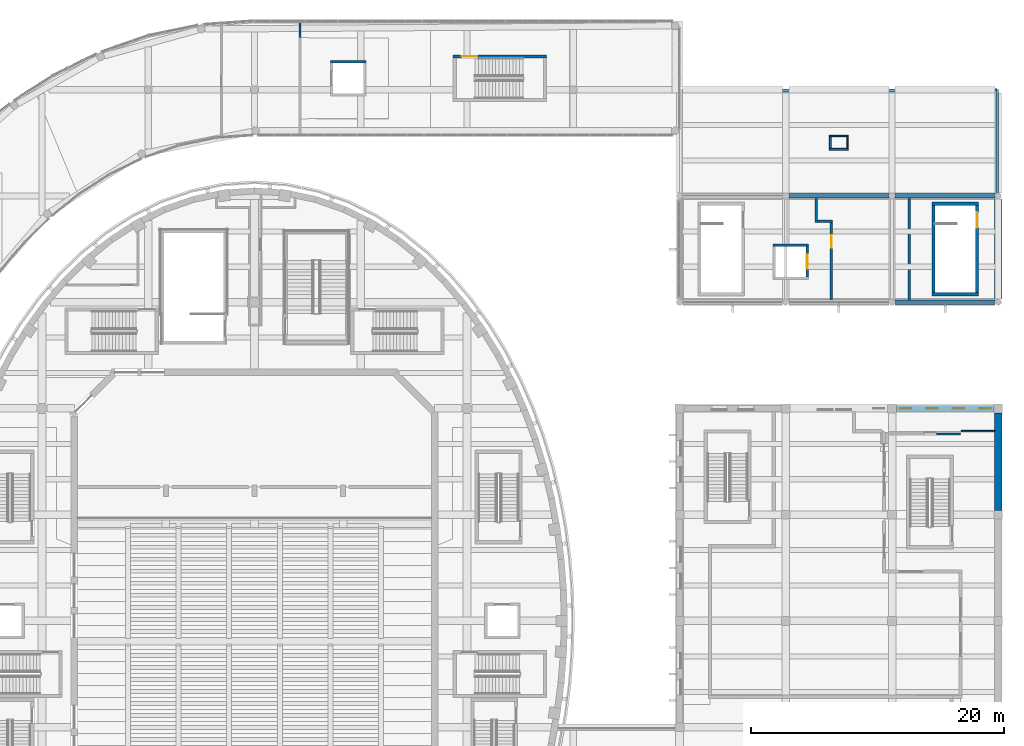
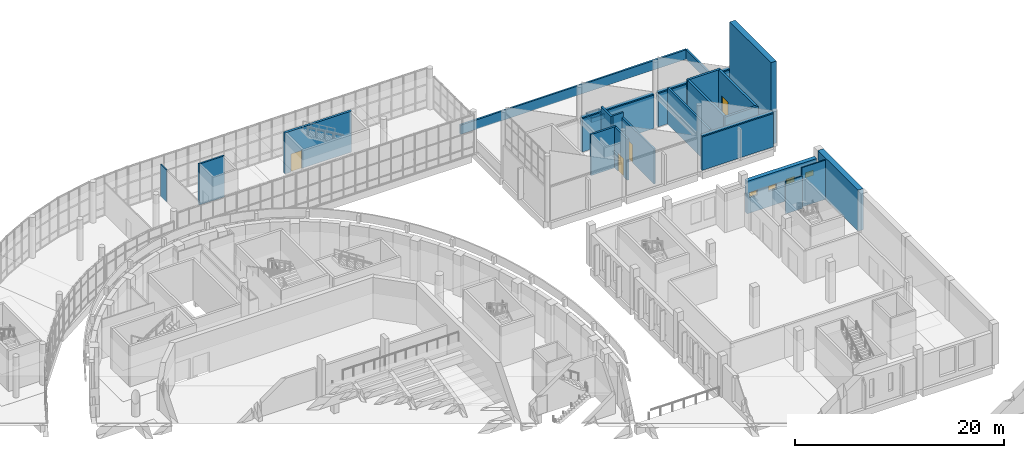
# One storey, part 71 of 119: 30 walls, 4 doors, 4 windows, 8 openings.
"""IFC4 building model written with IfcOpenShell, lengths in metres."""

from ifc_helpers import new_model, si_unit, direction, frame, frame_2d, origin, place, context, subcontext, project, spatial, rectangle, extrude, material, layer, layer_set, type_object, element, fill, save


model = new_model("IFC4")

# Units and contexts
model_context = context("Model", 3, precision=1e-05, world=origin(), true_north=direction((0.0, 1.0)))
body_context = subcontext(model_context, "Body", "Model", "MODEL_VIEW")
ifc_project = project(units=[si_unit("LENGTHUNIT", "METRE"), si_unit("AREAUNIT", "SQUARE_METRE"), si_unit("VOLUMEUNIT", "CUBIC_METRE"), si_unit("PLANEANGLEUNIT", "RADIAN"), si_unit("MASSUNIT", "GRAM", prefix="KILO")], contexts=[model_context])

# Site, building, storey
site_placement = place(None, origin())
site = spatial("IfcSite", under=ifc_project, at=site_placement, CompositionType="ELEMENT")
building_placement = place(site_placement, origin())
building = spatial("IfcBuilding", under=site, at=building_placement, Name="Larchfold Concert Hall", CompositionType="ELEMENT")
storey_placement = place(building_placement, frame((0.0, 0.0, 4.800048828125)))
storey = spatial("IfcBuildingStorey", under=building, at=storey_placement, Name="L01", CompositionType="ELEMENT", Elevation=4.800048828125)

# Walls
ifc_material_1 = material(Name="Plasterboard partition on steel studs", Category="steel")
ifc_layer_1 = layer(ifc_material_1, 0.199951171875)
ifc_layer_set_1 = layer_set([ifc_layer_1], Name="Plasterboard partition on steel studs")
wall_type_1 = type_object("IfcWallType", Name="Acoustic partition 200", PredefinedType="PARTITIONING", material=ifc_layer_set_1)
wall_1_placement = place(storey_placement, frame((86.999755859375, 118.02490234375, 0.0), z_axis=(0.0, 0.0, 1.0), x_axis=(0.001270324178, -0.999999193138, 0.0)))
element("IfcWall", 1, at=wall_1_placement, inside=storey, type_object=wall_type_1, Name="Partition IW0084", PredefinedType="PARTITIONING", context=body_context, shape_type="SweptSolid", body=[
    extrude(rectangle(XDim=1.921875, YDim=0.199951171875, at=frame_2d((0.9609375, 0.0))), origin(), (0.0, 0.0, 1.0), 4.599853515625),
])
wall_2_placement = place(storey_placement, frame((87.10205078125, 116.20263671875, 0.0), z_axis=(0.0, 0.0, 1.0), x_axis=(0.999994675452, -0.003263290803, 0.0)))
element("IfcWall", 2, at=wall_2_placement, inside=storey, type_object=wall_type_1, Name="Partition IW0085", PredefinedType="PARTITIONING", context=body_context, shape_type="SweptSolid", body=[
    extrude(rectangle(XDim=1.197021484375, YDim=0.199951171875, at=frame_2d((0.5986328125, 0.0))), origin(), (0.0, 0.0, 1.0), 4.599853515625),
])

# Wall, opening, door
wall_3_placement = place(storey_placement, frame((88.198974609375, 116.09912109375, 0.0), z_axis=(0.0, 0.0, 1.0), x_axis=(0.0, -1.0, 0.0)))
wall_3 = element("IfcWall", 3, at=wall_3_placement, inside=storey, type_object=wall_type_1, Name="Partition IW0086", PredefinedType="PARTITIONING", context=body_context, shape_type="SweptSolid", body=[
    extrude(rectangle(XDim=6.1240234375, YDim=0.199951171875, at=frame_2d((3.06201171875, 0.0))), origin(), (0.0, 0.0, 1.0), 4.08056640625),
])
opening_1_placement = place(wall_3_placement, frame((1.008544921875, 0.0, 0.0)))
opening_1 = element("IfcOpeningElement", 4, at=opening_1_placement, cuts=wall_3, Name="Opening D-L01-141", PredefinedType="OPENING", context=body_context, shape_type="SweptSolid", body=[
    extrude(rectangle(XDim=1.0, YDim=2.10009765625, at=frame_2d((0.5, 1.050048828125))), frame((0.0, 0.10986328125, 0.0), z_axis=(0.0, -1.0, 0.0), x_axis=(1.0, 0.0, 0.0)), (0.0, 0.0, 1.0), 0.219970703125),
])
ifc_material_2 = material(Name="Timber door leaf", Category="wood")
door_type_1 = type_object("IfcDoorType", Name="Practice and studio door, acoustic 1000 x 2100 FD30S", OperationType="SINGLE_SWING_LEFT", PredefinedType="DOOR", material=ifc_material_2)
door_1_placement = place(opening_1_placement, origin())
door_1 = element("IfcDoor", 5, at=door_1_placement, inside=storey, type_object=door_type_1, Name="Door D-L01-141", OperationType="SINGLE_SWING_RIGHT", OverallHeight=2.10009765625, OverallWidth=1.0, PredefinedType="DOOR", context=body_context, shape_type="SweptSolid", body=[
    extrude(rectangle(XDim=1.0, YDim=2.10009765625, at=frame_2d((0.5, 1.050048828125))), frame((0.0, 0.02490234375, 0.0), z_axis=(0.0, -1.0, 0.0), x_axis=(1.0, 0.0, 0.0)), (0.0, 0.0, 1.0), 0.050048828125),
])
fill(opening_1, door_1)

# Wall
wall_4_placement = place(storey_placement, frame((94.35107421875, 109.97509765625, 0.0), z_axis=(0.0, 0.0, 1.0), x_axis=(0.0, 1.0, 0.0)))
element("IfcWall", 6, at=wall_4_placement, inside=storey, type_object=wall_type_1, Name="Partition IW0087", PredefinedType="PARTITIONING", context=body_context, shape_type="SweptSolid", body=[
    extrude(rectangle(XDim=8.0498046875, YDim=0.199951171875, at=frame_2d((4.02490234375, 0.0))), origin(), (0.0, 0.0, 1.0), 4.23046875),
])

# Wall, openings, windows
ifc_material_3 = material(Name="Charred larch cladding on mineral wool and CLT", Category="wood")
ifc_layer_2 = layer(ifc_material_3, 0.449951171875)
ifc_layer_set_2 = layer_set([ifc_layer_2], Name="Charred larch cladding on mineral wool and CLT")
wall_type_2 = type_object("IfcWallType", Name="Charred larch infill wall 450", PredefinedType="SOLIDWALL", material=ifc_layer_set_2)
wall_5_placement = place(storey_placement, frame((101.0498046875, 101.39990234375, 0.0), z_axis=(0.0, 0.0, 1.0), x_axis=(-1.0, 0.0, 0.0)))
wall_5 = element("IfcWall", 7, at=wall_5_placement, inside=storey, type_object=wall_type_2, Name="Infill wall W5078", PredefinedType="SOLIDWALL", context=body_context, shape_type="SweptSolid", body=[
    extrude(rectangle(XDim=7.69970703125, YDim=0.449951171875, at=frame_2d((3.849853515625, 0.0))), origin(), (0.0, 0.0, 1.0), 3.800048828125),
])
opening_2_placement = place(wall_5_placement, frame((6.5498046875, 0.0, 1.800048828125)))
opening_2 = element("IfcOpeningElement", 8, at=opening_2_placement, cuts=wall_5, Name="Opening WN-L01-034", PredefinedType="OPENING", context=body_context, shape_type="SweptSolid", body=[
    extrude(rectangle(XDim=0.89990234375, YDim=0.60009765625, at=frame_2d((0.449951171875, 0.300048828125))), frame((0.0, 0.23486328125, 0.0), z_axis=(0.0, -1.0, 0.0), x_axis=(1.0, 0.0, 0.0)), (0.0, 0.0, 1.0), 0.469970703125),
])
opening_3_placement = place(wall_5_placement, frame((4.44970703125, 0.0, 1.800048828125)))
opening_3 = element("IfcOpeningElement", 9, at=opening_3_placement, cuts=wall_5, Name="Opening WN-L01-035", PredefinedType="OPENING", context=body_context, shape_type="SweptSolid", body=[
    extrude(rectangle(XDim=0.89990234375, YDim=0.60009765625, at=frame_2d((0.449951171875, 0.300048828125))), frame((0.0, 0.23486328125, 0.0), z_axis=(0.0, -1.0, 0.0), x_axis=(1.0, 0.0, 0.0)), (0.0, 0.0, 1.0), 0.469970703125),
])
opening_4_placement = place(wall_5_placement, frame((2.349853515625, 0.0, 1.800048828125)))
opening_4 = element("IfcOpeningElement", 10, at=opening_4_placement, cuts=wall_5, Name="Opening WN-L01-036", PredefinedType="OPENING", context=body_context, shape_type="SweptSolid", body=[
    extrude(rectangle(XDim=0.89990234375, YDim=0.60009765625, at=frame_2d((0.449951171875, 0.300048828125))), frame((0.0, 0.23486328125, 0.0), z_axis=(0.0, -1.0, 0.0), x_axis=(1.0, 0.0, 0.0)), (0.0, 0.0, 1.0), 0.469970703125),
])
opening_5_placement = place(wall_5_placement, frame((0.249755859375, 0.0, 1.800048828125)))
opening_5 = element("IfcOpeningElement", 11, at=opening_5_placement, cuts=wall_5, Name="Opening WN-L01-037", PredefinedType="OPENING", context=body_context, shape_type="SweptSolid", body=[
    extrude(rectangle(XDim=0.89990234375, YDim=0.60009765625, at=frame_2d((0.449951171875, 0.300048828125))), frame((0.0, 0.23486328125, 0.0), z_axis=(0.0, -1.0, 0.0), x_axis=(1.0, 0.0, 0.0)), (0.0, 0.0, 1.0), 0.469970703125),
])
ifc_material_4 = material(Name="Anodised graphite aluminium frame with obscured glass", Category="aluminium")
window_type = type_object("IfcWindowType", Name="Toilet high window 900x600", PartitioningType="SINGLE_PANEL", PredefinedType="WINDOW", material=ifc_material_4)
window_1_placement = place(opening_2_placement, origin())
window_1 = element("IfcWindow", 12, at=window_1_placement, inside=storey, type_object=window_type, Name="Window WN-L01-034", OverallHeight=0.60009765625, OverallWidth=0.89990234375, PartitioningType="SINGLE_PANEL", PredefinedType="WINDOW", context=body_context, shape_type="SweptSolid", body=[
    extrude(rectangle(XDim=0.89990234375, YDim=0.60009765625, at=frame_2d((0.449951171875, 0.300048828125))), frame((0.0, 0.034912109375, 0.0), z_axis=(0.0, -1.0, 0.0), x_axis=(1.0, 0.0, 0.0)), (0.0, 0.0, 1.0), 0.06005859375),
])
fill(opening_2, window_1)
window_2_placement = place(opening_3_placement, origin())
window_2 = element("IfcWindow", 13, at=window_2_placement, inside=storey, type_object=window_type, Name="Window WN-L01-035", OverallHeight=0.60009765625, OverallWidth=0.89990234375, PartitioningType="SINGLE_PANEL", PredefinedType="WINDOW", context=body_context, shape_type="SweptSolid", body=[
    extrude(rectangle(XDim=0.89990234375, YDim=0.60009765625, at=frame_2d((0.449951171875, 0.300048828125))), frame((0.0, 0.034912109375, 0.0), z_axis=(0.0, -1.0, 0.0), x_axis=(1.0, 0.0, 0.0)), (0.0, 0.0, 1.0), 0.06005859375),
])
fill(opening_3, window_2)
window_3_placement = place(opening_4_placement, origin())
window_3 = element("IfcWindow", 14, at=window_3_placement, inside=storey, type_object=window_type, Name="Window WN-L01-036", OverallHeight=0.60009765625, OverallWidth=0.89990234375, PartitioningType="SINGLE_PANEL", PredefinedType="WINDOW", context=body_context, shape_type="SweptSolid", body=[
    extrude(rectangle(XDim=0.89990234375, YDim=0.60009765625, at=frame_2d((0.449951171875, 0.300048828125))), frame((0.0, 0.034912109375, 0.0), z_axis=(0.0, -1.0, 0.0), x_axis=(1.0, 0.0, 0.0)), (0.0, 0.0, 1.0), 0.06005859375),
])
fill(opening_4, window_3)
window_4_placement = place(opening_5_placement, origin())
window_4 = element("IfcWindow", 15, at=window_4_placement, inside=storey, type_object=window_type, Name="Window WN-L01-037", OverallHeight=0.60009765625, OverallWidth=0.89990234375, PartitioningType="SINGLE_PANEL", PredefinedType="WINDOW", context=body_context, shape_type="SweptSolid", body=[
    extrude(rectangle(XDim=0.89990234375, YDim=0.60009765625, at=frame_2d((0.449951171875, 0.300048828125))), frame((0.0, 0.034912109375, 0.0), z_axis=(0.0, -1.0, 0.0), x_axis=(1.0, 0.0, 0.0)), (0.0, 0.0, 1.0), 0.06005859375),
])
fill(opening_5, window_4)

# Walls
ifc_material_5 = material(Name="Plasterboard partition on steel studs", Category="steel")
ifc_layer_3 = layer(ifc_material_5, 0.125)
ifc_layer_set_3 = layer_set([ifc_layer_3], Name="Plasterboard partition on steel studs")
wall_type_3 = type_object("IfcWallType", Name="Corridor partition 125 EI 60", PredefinedType="PARTITIONING", material=ifc_layer_set_3)
wall_6_placement = place(storey_placement, frame((98.452392578125, 99.60009765625, 0.0), z_axis=(0.0, 0.0, 1.0), x_axis=(1.0, 0.0, 0.0)))
element("IfcWall", 16, at=wall_6_placement, inside=storey, type_object=wall_type_3, Name="Partition IW0082", PredefinedType="PARTITIONING", context=body_context, shape_type="SweptSolid", body=[
    extrude(rectangle(XDim=2.647705078125, YDim=0.125, at=frame_2d((1.32373046875, 0.0))), origin(), (0.0, 0.0, 1.0), 4.599853515625),
])
wall_7_placement = place(storey_placement, frame((46.199951171875, 131.85009765625, 0.0), z_axis=(0.0, 0.0, 1.0), x_axis=(0.0, -1.0, 0.0)))
element("IfcWall", 17, at=wall_7_placement, inside=storey, type_object=wall_type_3, Name="Partition IW0151", PredefinedType="PARTITIONING", context=body_context, shape_type="SweptSolid", body=[
    extrude(rectangle(XDim=1.1162109375, YDim=0.125, at=frame_2d((0.55810546875, 0.0))), origin(), (0.0, 0.0, 1.0), 3.75),
])
wall_8_placement = place(storey_placement, frame((98.39990234375, 99.382080078125, 0.0), z_axis=(0.0, 0.0, 1.0), x_axis=(-1.0, 0.0, 0.0)))
element("IfcWall", 18, at=wall_8_placement, inside=storey, type_object=wall_type_3, Name="Partition IW0156", PredefinedType="PARTITIONING", context=body_context, shape_type="SweptSolid", body=[
    extrude(rectangle(XDim=1.852294921875, YDim=0.125, at=frame_2d((0.92626953125, 0.0))), origin(), (0.0, 0.0, 1.0), 3.800048828125),
])
ifc_material_6 = material(Name="White mineral panel on mineral wool")
ifc_layer_4 = layer(ifc_material_6, 0.35009765625)
ifc_layer_set_4 = layer_set([ifc_layer_4], Name="White mineral panel on mineral wool")
wall_type_4 = type_object("IfcWallType", Name="Insulated panel wall 350", PredefinedType="SOLIDWALL", material=ifc_layer_set_4)
for number, where, z_axis, x_axis, name in (
    (19, (101.14892578125, 118.199951171875, 0.0), (0.0, 0.0, 1.0), (-1.0, 0.0, 0.0), "Infill wall W5116"),
    (20, (92.7490234375, 118.199951171875, 0.0), (0.0, 0.0, 1.0), (-1.0, 0.0, 0.0), "Infill wall W5117"),
    (21, (93.2509765625, 109.800048828125, 0.0), (0.0, 0.0, 1.0), (1.0, 0.0, 0.0), "Infill wall W5122"),
):
    element("IfcWall", number, at=place(storey_placement, frame(where, z_axis=z_axis, x_axis=x_axis)), inside=storey, type_object=wall_type_4, Name=name, PredefinedType="SOLIDWALL", context=body_context, shape_type="SweptSolid", body=[
        extrude(rectangle(XDim=7.89794921875, YDim=0.35009765625, at=frame_2d((3.948974609375, 0.0))), origin(), (0.0, 0.0, 1.0), 3.89990234375),
    ])
for number, where, z_axis, x_axis, name in (
    (22, (92.7490234375, 118.199951171875, 3.89990234375), (0.0, 0.0, 1.0), (-1.0, 0.0, 0.0), "Infill wall W5209"),
    (23, (101.14892578125, 118.199951171875, 3.89990234375), (0.0, 0.0, 1.0), (-1.0, 0.0, 0.0), "Infill wall W5210"),
    (24, (93.2509765625, 109.800048828125, 3.89990234375), (0.0, 0.0, 1.0), (1.0, 0.0, 0.0), "Infill wall W5213"),
):
    element("IfcWall", number, at=place(storey_placement, frame(where, z_axis=z_axis, x_axis=x_axis)), inside=storey, type_object=wall_type_4, Name=name, PredefinedType="SOLIDWALL", context=body_context, shape_type="SweptSolid", body=[
        extrude(rectangle(XDim=7.89794921875, YDim=0.35009765625, at=frame_2d((3.948974609375, 0.0))), origin(), (0.0, 0.0, 1.0), 0.135986328125),
    ])
ifc_material_7 = material(Name="Insulated steel upstand S355", Category="steel")
ifc_layer_5 = layer(ifc_material_7, 0.14990234375)
ifc_layer_set_5 = layer_set([ifc_layer_5], Name="Insulated steel upstand S355")
wall_type_5 = type_object("IfcWallType", Name="Roof hatch curb 150", PredefinedType="PARAPET", material=ifc_layer_set_5)
for number, where, z_axis, x_axis, name in (
    (25, (88.050048828125, 121.885009765625, 0.0), (0.0, 0.0, 1.0), (1.0, 0.0, 0.0), "Roof upstand curb HC25"),
    (26, (88.050048828125, 122.934814453125, 0.0), (0.0, 0.0, 1.0), (1.0, 0.0, 0.0), "Roof upstand curb HC26"),
):
    element("IfcWall", number, at=place(storey_placement, frame(where, z_axis=z_axis, x_axis=x_axis)), inside=storey, type_object=wall_type_5, Name=name, PredefinedType="PARAPET", context=body_context, shape_type="SweptSolid", body=[
        extrude(rectangle(XDim=1.5, YDim=0.14990234375, at=frame_2d((0.75, 0.0))), origin(), (0.0, 0.0, 1.0), 0.5),
    ])
for number, where, z_axis, x_axis, name in (
    (27, (88.125, 121.9599609375, 0.0), (0.0, 0.0, 1.0), (0.0, 1.0, 0.0), "Roof upstand curb HC27"),
    (28, (89.47509765625, 121.9599609375, 0.0), (0.0, 0.0, 1.0), (0.0, 1.0, 0.0), "Roof upstand curb HC28"),
):
    element("IfcWall", number, at=place(storey_placement, frame(where, z_axis=z_axis, x_axis=x_axis)), inside=storey, type_object=wall_type_5, Name=name, PredefinedType="PARAPET", context=body_context, shape_type="SweptSolid", body=[
        extrude(rectangle(XDim=0.89990234375, YDim=0.14990234375, at=frame_2d((0.449951171875, 0.0))), origin(), (0.0, 0.0, 1.0), 0.5),
    ])
ifc_material_8 = material(Name="White render on insulated block")
ifc_layer_6 = layer(ifc_material_8, 0.199951171875)
ifc_layer_set_6 = layer_set([ifc_layer_6], Name="White render on insulated block")
wall_type_6 = type_object("IfcWallType", Name="Roof parapet 200", PredefinedType="PARAPET", material=ifc_layer_set_6)
wall_9_placement = place(storey_placement, frame((101.2998046875, 118.2099609375, 0.0), z_axis=(0.0, 0.0, 1.0), x_axis=(0.0, 1.0, 0.0)))
element("IfcWall", 29, at=wall_9_placement, inside=storey, type_object=wall_type_6, Name="Parapet PW0003", PredefinedType="PARAPET", context=body_context, shape_type="SweptSolid", body=[
    extrude(rectangle(XDim=8.39013671875, YDim=0.199951171875, at=frame_2d((4.195068359375, 0.0))), origin(), (0.0, 0.0, 1.0), 1.10009765625),
])
wall_10_placement = place(storey_placement, frame((101.2998046875, 126.60009765625, 0.0), z_axis=(0.0, 0.0, 1.0), x_axis=(-0.999992048112, -0.003987945994, 0.0)))
element("IfcWall", 30, at=wall_10_placement, inside=storey, type_object=wall_type_6, Name="Parapet PW0004", PredefinedType="PARAPET", context=body_context, shape_type="SweptSolid", body=[
    extrude(rectangle(XDim=25.10009765625, YDim=0.199951171875, at=frame_2d((12.550048828125, 0.0))), origin(), (0.0, 0.0, 1.0), 1.10009765625),
])
ifc_material_9 = material(Name="Concrete C40/50", Category="concrete")
ifc_layer_7 = layer(ifc_material_9, 0.199951171875)
ifc_layer_set_7 = layer_set([ifc_layer_7], Name="Concrete C40/50")
wall_type_7 = type_object("IfcWallType", Name="Wall RC 200 lift shaft", PredefinedType="SOLIDWALL", material=ifc_layer_set_7)
wall_11_placement = place(storey_placement, frame((83.60009765625, 114.2998046875, 0.0), z_axis=(0.0, 0.0, 1.0), x_axis=(1.0, 0.0, 0.0)))
element("IfcWall", 31, at=wall_11_placement, inside=storey, type_object=wall_type_7, Name="Wall W0177", PredefinedType="SOLIDWALL", context=body_context, shape_type="SweptSolid", body=[
    extrude(rectangle(XDim=2.7998046875, YDim=0.199951171875, at=frame_2d((1.39990234375, 0.0))), origin(), (0.0, 0.0, 1.0), 4.800048828125),
])

# Wall, opening, door
wall_12_placement = place(storey_placement, frame((86.2998046875, 111.800048828125, 0.0), z_axis=(0.0, 0.0, 1.0), x_axis=(0.0, 1.0, 0.0)))
wall_12 = element("IfcWall", 32, at=wall_12_placement, inside=storey, type_object=wall_type_7, Name="Wall W0179", PredefinedType="SOLIDWALL", context=body_context, shape_type="SweptSolid", body=[
    extrude(rectangle(XDim=2.39990234375, YDim=0.199951171875, at=frame_2d((1.199951171875, 0.0))), origin(), (0.0, 0.0, 1.0), 4.800048828125),
])
opening_6_placement = place(wall_12_placement, frame((0.64990234375, 0.0, 0.0)))
opening_6 = element("IfcOpeningElement", 33, at=opening_6_placement, cuts=wall_12, Name="Opening LD-LF09", PredefinedType="OPENING", context=body_context, shape_type="SweptSolid", body=[
    extrude(rectangle(XDim=1.10009765625, YDim=2.10009765625, at=frame_2d((0.550048828125, 1.050048828125))), frame((0.0, 0.10986328125, 0.0), z_axis=(0.0, -1.0, 0.0), x_axis=(1.0, 0.0, 0.0)), (0.0, 0.0, 1.0), 0.219970703125),
])
ifc_material_10 = material(Name="Stainless steel sliding leaves", Category="steel")
door_type_2 = type_object("IfcDoorType", Name="Lift landing door sliding 1100 x 2100", OperationType="SLIDING_TO_LEFT", PredefinedType="DOOR", material=ifc_material_10)
door_2_placement = place(opening_6_placement, origin())
door_2 = element("IfcDoor", 34, at=door_2_placement, inside=storey, type_object=door_type_2, Name="Lift landing door LF09", OperationType="SLIDING_TO_LEFT", OverallHeight=2.10009765625, OverallWidth=1.10009765625, PredefinedType="DOOR", context=body_context, shape_type="SweptSolid", body=[
    extrude(rectangle(XDim=1.10009765625, YDim=2.10009765625, at=frame_2d((0.550048828125, 1.050048828125))), frame((0.0, 0.02490234375, 0.0), z_axis=(0.0, -1.0, 0.0), x_axis=(1.0, 0.0, 0.0)), (0.0, 0.0, 1.0), 0.050048828125),
])
fill(opening_6, door_2)

# Walls
wall_13_placement = place(storey_placement, frame((48.60009765625, 128.7998046875, 0.0), z_axis=(0.0, 0.0, 1.0), x_axis=(1.0, 0.0, 0.0)))
element("IfcWall", 35, at=wall_13_placement, inside=storey, type_object=wall_type_7, Name="Wall W0193", PredefinedType="SOLIDWALL", context=body_context, shape_type="SweptSolid", body=[
    extrude(rectangle(XDim=2.7998046875, YDim=0.199951171875, at=frame_2d((1.39990234375, 0.0))), origin(), (0.0, 0.0, 1.0), 4.800048828125),
])
ifc_material_11 = material(Name="Concrete C40/50", Category="concrete")
ifc_layer_8 = layer(ifc_material_11, 0.25)
ifc_layer_set_8 = layer_set([ifc_layer_8], Name="Concrete C40/50")
wall_type_8 = type_object("IfcWallType", Name="Wall RC 250 stair core", PredefinedType="SOLIDWALL", material=ifc_layer_set_8)
for number, where, z_axis, x_axis, name in (
    (36, (96.14990234375, 110.425048828125, 0.0), (0.0, 0.0, 1.0), (1.0, 0.0, 0.0), "Wall W0108"),
    (37, (96.14990234375, 117.574951171875, 0.0), (0.0, 0.0, 1.0), (1.0, 0.0, 0.0), "Wall W0109"),
):
    element("IfcWall", number, at=place(storey_placement, frame(where, z_axis=z_axis, x_axis=x_axis)), inside=storey, type_object=wall_type_8, Name=name, PredefinedType="SOLIDWALL", context=body_context, shape_type="SweptSolid", body=[
        extrude(rectangle(XDim=3.7001953125, YDim=0.25, at=frame_2d((1.85009765625, 0.0))), origin(), (0.0, 0.0, 1.0), 4.800048828125),
    ])
wall_14_placement = place(storey_placement, frame((96.27490234375, 110.550048828125, 0.0), z_axis=(0.0, 0.0, 1.0), x_axis=(0.0, 1.0, 0.0)))
element("IfcWall", 38, at=wall_14_placement, inside=storey, type_object=wall_type_8, Name="Wall W0110", PredefinedType="SOLIDWALL", context=body_context, shape_type="SweptSolid", body=[
    extrude(rectangle(XDim=6.89990234375, YDim=0.25, at=frame_2d((3.449951171875, 0.0))), origin(), (0.0, 0.0, 1.0), 4.800048828125),
])

# Wall, opening, door
wall_15_placement = place(storey_placement, frame((99.72509765625, 110.550048828125, 0.0), z_axis=(0.0, 0.0, 1.0), x_axis=(0.0, 1.0, 0.0)))
wall_15 = element("IfcWall", 39, at=wall_15_placement, inside=storey, type_object=wall_type_8, Name="Wall W0111", PredefinedType="SOLIDWALL", context=body_context, shape_type="SweptSolid", body=[
    extrude(rectangle(XDim=6.89990234375, YDim=0.25, at=frame_2d((3.449951171875, 0.0))), origin(), (0.0, 0.0, 1.0), 4.800048828125),
])
opening_7_placement = place(wall_15_placement, frame((5.14990234375, 0.0, 0.0)))
opening_7 = element("IfcOpeningElement", 40, at=opening_7_placement, cuts=wall_15, Name="Opening D-L01-180", PredefinedType="OPENING", context=body_context, shape_type="SweptSolid", body=[
    extrude(rectangle(XDim=1.199951171875, YDim=2.10009765625, at=frame_2d((0.60009765625, 1.050048828125))), frame((0.0, 0.135009765625, 0.0), z_axis=(0.0, -1.0, 0.0), x_axis=(1.0, 0.0, 0.0)), (0.0, 0.0, 1.0), 0.27001953125),
])
ifc_material_12 = material(Name="Timber door leaf", Category="wood")
door_type_3 = type_object("IfcDoorType", Name="Stair enclosure door pair 1200 x 2100 FD60", OperationType="SINGLE_SWING_LEFT", PredefinedType="DOOR", material=ifc_material_12)
door_3_placement = place(opening_7_placement, origin())
door_3 = element("IfcDoor", 41, at=door_3_placement, inside=storey, type_object=door_type_3, Name="Door D-L01-180", OperationType="DOUBLE_DOOR_SINGLE_SWING", OverallHeight=2.10009765625, OverallWidth=1.199951171875, PredefinedType="DOOR", context=body_context, shape_type="SweptSolid", body=[
    extrude(rectangle(XDim=1.199951171875, YDim=2.10009765625, at=frame_2d((0.60009765625, 1.050048828125))), frame((0.0, 0.02490234375, 0.0), z_axis=(0.0, -1.0, 0.0), x_axis=(1.0, 0.0, 0.0)), (0.0, 0.0, 1.0), 0.050048828125),
])
fill(opening_7, door_3)

wall_16_placement = place(storey_placement, frame((58.300048828125, 129.22509765625, 0.0), z_axis=(0.0, 0.0, 1.0), x_axis=(1.0, 0.0, 0.0)))
wall_16 = element("IfcWall", 42, at=wall_16_placement, inside=storey, type_object=wall_type_8, Name="Wall W0133", PredefinedType="SOLIDWALL", context=body_context, shape_type="SweptSolid", body=[
    extrude(rectangle(XDim=7.39990234375, YDim=0.25, at=frame_2d((3.699951171875, 0.0))), origin(), (0.0, 0.0, 1.0), 4.800048828125),
])
opening_8_placement = place(wall_16_placement, frame((0.7001953125, 0.0, 0.0)))
opening_8 = element("IfcOpeningElement", 43, at=opening_8_placement, cuts=wall_16, Name="Opening D-L01-186", PredefinedType="OPENING", context=body_context, shape_type="SweptSolid", body=[
    extrude(rectangle(XDim=1.199951171875, YDim=2.10009765625, at=frame_2d((0.60009765625, 1.050048828125))), frame((0.0, 0.135009765625, 0.0), z_axis=(0.0, -1.0, 0.0), x_axis=(1.0, 0.0, 0.0)), (0.0, 0.0, 1.0), 0.27001953125),
])
door_4_placement = place(opening_8_placement, origin())
door_4 = element("IfcDoor", 44, at=door_4_placement, inside=storey, type_object=door_type_3, Name="Door D-L01-186", OperationType="DOUBLE_DOOR_SINGLE_SWING", OverallHeight=2.10009765625, OverallWidth=1.199951171875, PredefinedType="DOOR", context=body_context, shape_type="SweptSolid", body=[
    extrude(rectangle(XDim=1.199951171875, YDim=2.10009765625, at=frame_2d((0.60009765625, 1.050048828125))), frame((0.0, 0.02490234375, 0.0), z_axis=(0.0, -1.0, 0.0), x_axis=(1.0, 0.0, 0.0)), (0.0, 0.0, 1.0), 0.050048828125),
])
fill(opening_8, door_4)

# Walls
ifc_material_13 = material(Name="Concrete C40/50", Category="concrete")
ifc_layer_9 = layer(ifc_material_13, 0.60009765625)
ifc_layer_set_9 = layer_set([ifc_layer_9], Name="Concrete C40/50")
wall_type_9 = type_object("IfcWallType", Name="Wall RC 600 party wall", PredefinedType="SOLIDWALL", material=ifc_layer_set_9)
wall_17_placement = place(storey_placement, frame((101.39990234375, 93.35009765625, 0.0), z_axis=(0.0, 0.0, 1.0), x_axis=(0.0, 1.0, 0.0)))
element("IfcWall", 45, at=wall_17_placement, inside=storey, type_object=wall_type_9, Name="Wall W0030", PredefinedType="SOLIDWALL", context=body_context, shape_type="SweptSolid", body=[
    extrude(rectangle(XDim=7.699951171875, YDim=0.60009765625, at=frame_2d((3.85009765625, 0.0))), origin(), (0.0, 0.0, 1.0), 4.800048828125),
])
wall_18_placement = place(storey_placement, frame((101.39990234375, 110.048828125, 0.0), z_axis=(0.0, 0.0, 1.0), x_axis=(0.0, 1.0, 0.0)))
element("IfcWall", 46, at=wall_18_placement, inside=storey, type_object=wall_type_9, Name="Wall W0031", PredefinedType="SOLIDWALL", context=body_context, shape_type="SweptSolid", body=[
    extrude(rectangle(XDim=7.90234375, YDim=0.60009765625, at=frame_2d((3.951171875, 0.0))), origin(), (0.0, 0.0, 1.0), 9.599853515625),
])

save(model, "model.ifc")
